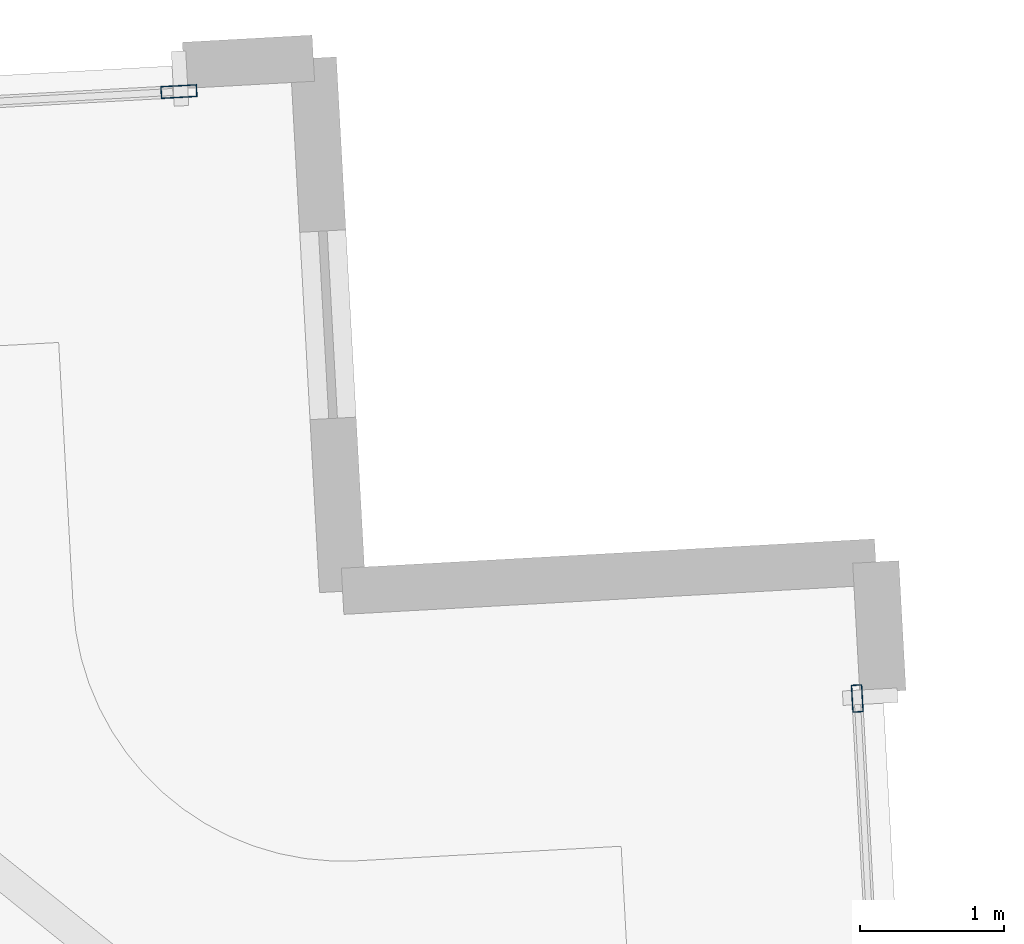
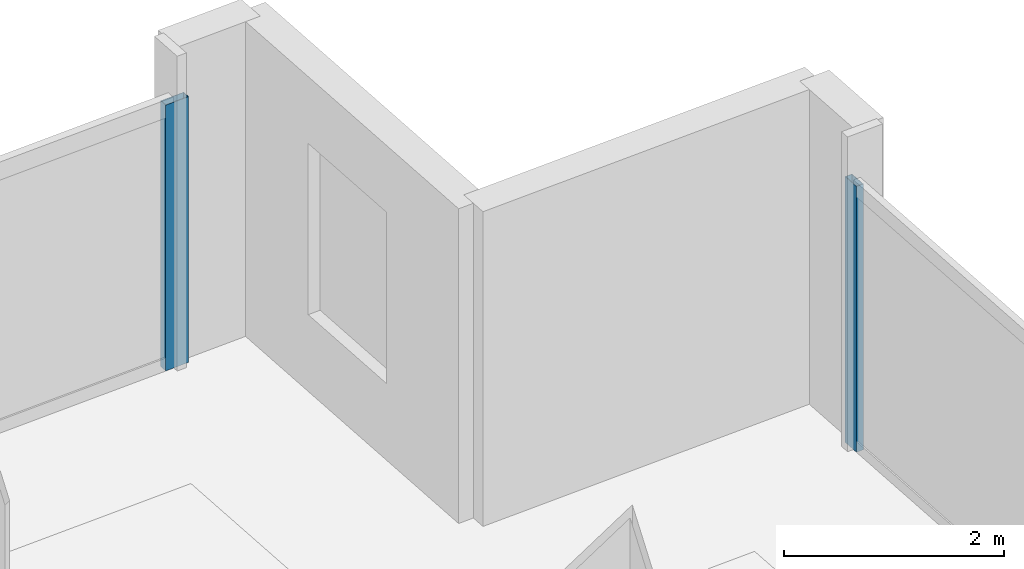
# One storey, part 15 of 23: 2 members, 2 elements without a shape of their own.
"""IFC4 building model written with IfcOpenShell, lengths in metres."""

from ifc_helpers import new_model, si_unit, direction, frame, origin, origin_2d, place, context, subcontext, project, spatial, hollow_rectangle, extrude, material, material_profile, profile_set, type_object, element, aggregate, save


model = new_model("IFC4")

# Units and contexts
model_context = context("Model", 3, precision=1e-05, world=origin(), true_north=direction((0.0, 1.0)))
body_context = subcontext(model_context, "Body", "Model", "MODEL_VIEW")
ifc_project = project(units=[si_unit("LENGTHUNIT", "METRE"), si_unit("AREAUNIT", "SQUARE_METRE"), si_unit("VOLUMEUNIT", "CUBIC_METRE"), si_unit("PLANEANGLEUNIT", "RADIAN"), si_unit("MASSUNIT", "GRAM", prefix="KILO")], contexts=[model_context])

# Site, building, storey
site_placement = place(None, origin())
site = spatial("IfcSite", under=ifc_project, at=site_placement, CompositionType="ELEMENT")
building_placement = place(site_placement, origin())
building = spatial("IfcBuilding", under=site, at=building_placement, Name="Haldenkirk Collegiate Tower", CompositionType="ELEMENT")
storey_placement = place(building_placement, frame((0.0, 0.0, 340.199951171875)))
storey = spatial("IfcBuildingStorey", under=building, at=storey_placement, Name="L86", CompositionType="ELEMENT", Elevation=340.199951171875)

# Curtain wall, member
ifc_material = material(Name="Anodised architectural bronze aluminium", Category="aluminium")
curtain_wall_type_1 = type_object("IfcCurtainWallType", Name="CW-SYS2-CONCAVE", PredefinedType="USERDEFINED", material=ifc_material)
curtain_wall_1_placement = place(storey_placement, origin())
curtain_wall_1 = element("IfcCurtainWall", 1, at=curtain_wall_1_placement, inside=storey, type_object=curtain_wall_type_1, Name="L86 South concave recessed bronze-anodised curtain wall", ObjectType="UNITISED CURTAIN WALL", PredefinedType="USERDEFINED")
ifc_material_profile_1 = material_profile(ifc_material, hollow_rectangle(XDim=0.074951171875, YDim=0.18994140625, WallThickness=0.0048828125, at=origin_2d()), Name="CW-MUL-02")
ifc_profile_set_1 = profile_set([ifc_material_profile_1], Name="Anodised architectural bronze aluminium")
member_type_1 = type_object("IfcMemberType", Name="CW-MUL-02", PredefinedType="MULLION", material=ifc_profile_set_1)
member_1_placement = place(storey_placement, frame((56.944091796875, 44.791748046875, 0.0), z_axis=(0.0, 0.0, 1.0), x_axis=(0.998489164704, 0.054948957849, 0.0)))
member_1 = element("IfcMember", 2, at=member_1_placement, type_object=member_type_1, Name="CW-02 mullion 1", PredefinedType="MULLION", context=body_context, shape_type="SweptSolid", body=[
    extrude(hollow_rectangle(XDim=0.074951171875, YDim=0.18994140625, WallThickness=0.0048828125, at=origin_2d()), origin(), (0.0, 0.0, 1.0), 2.947998046875),
])
aggregate(curtain_wall_1, [member_1])

curtain_wall_type_2 = type_object("IfcCurtainWallType", Name="CW-SYS1B-CONVEX-HI", PredefinedType="USERDEFINED", material=ifc_material)
curtain_wall_2_placement = place(storey_placement, origin())
curtain_wall_2 = element("IfcCurtainWall", 3, at=curtain_wall_2_placement, inside=storey, type_object=curtain_wall_type_2, Name="L86 Upper tower high-wind convex bronze unitised curtain wall", ObjectType="UNITISED CURTAIN WALL", PredefinedType="USERDEFINED")
ifc_material_profile_2 = material_profile(ifc_material, hollow_rectangle(XDim=0.0849609375, YDim=0.25, WallThickness=0.0048828125, at=origin_2d()), Name="CW-MUL-1B")
ifc_profile_set_2 = profile_set([ifc_material_profile_2], Name="Anodised architectural bronze aluminium")
member_type_2 = type_object("IfcMemberType", Name="CW-MUL-1B", PredefinedType="MULLION", material=ifc_profile_set_2)
member_2_placement = place(storey_placement, frame((52.243408203125, 48.997314453125, 0.0), z_axis=(0.0, 0.0, 1.0), x_axis=(-0.054947531961, 0.998489243173, 0.0)))
member_2 = element("IfcMember", 4, at=member_2_placement, type_object=member_type_2, Name="CW-1B mullion 4", PredefinedType="MULLION", context=body_context, shape_type="SweptSolid", body=[
    extrude(hollow_rectangle(XDim=0.0849609375, YDim=0.25, WallThickness=0.0048828125, at=origin_2d()), origin(), (0.0, 0.0, 1.0), 2.947998046875),
])
aggregate(curtain_wall_2, [member_2])

save(model, "model.ifc")
